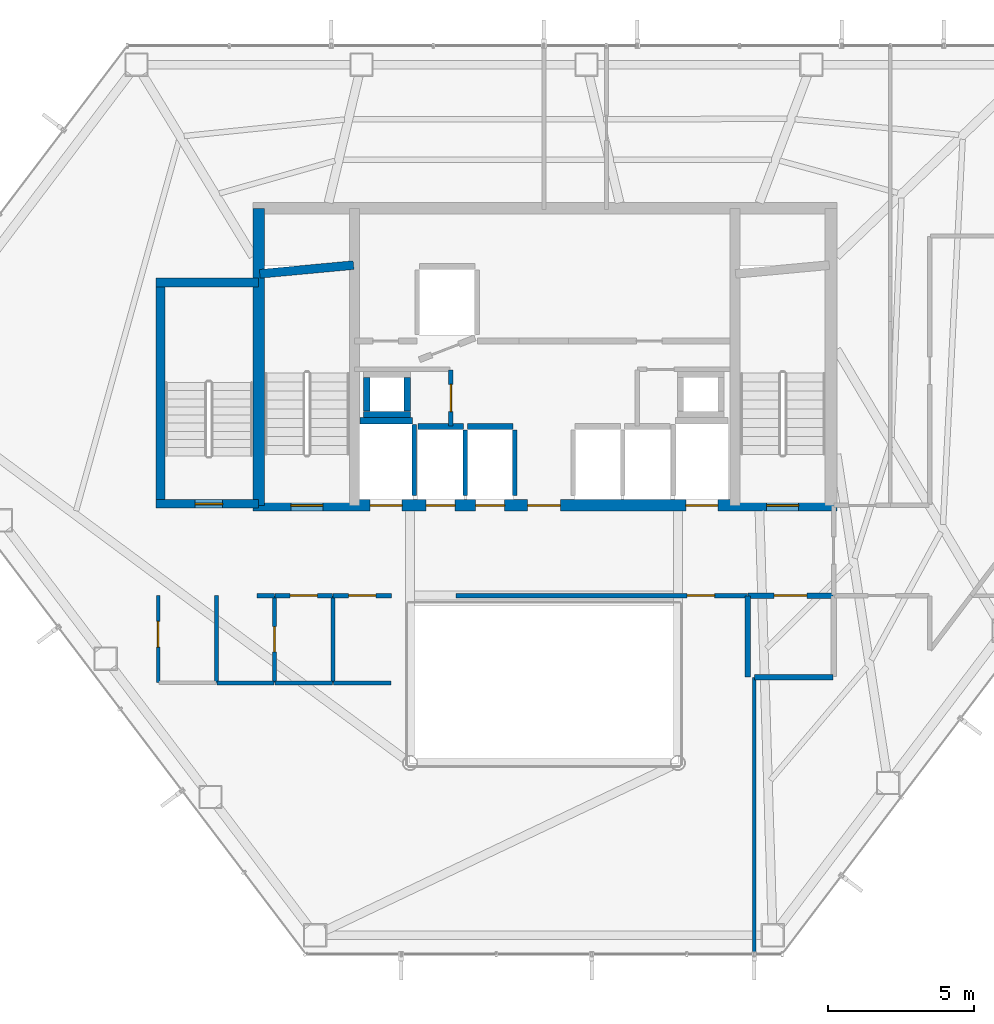
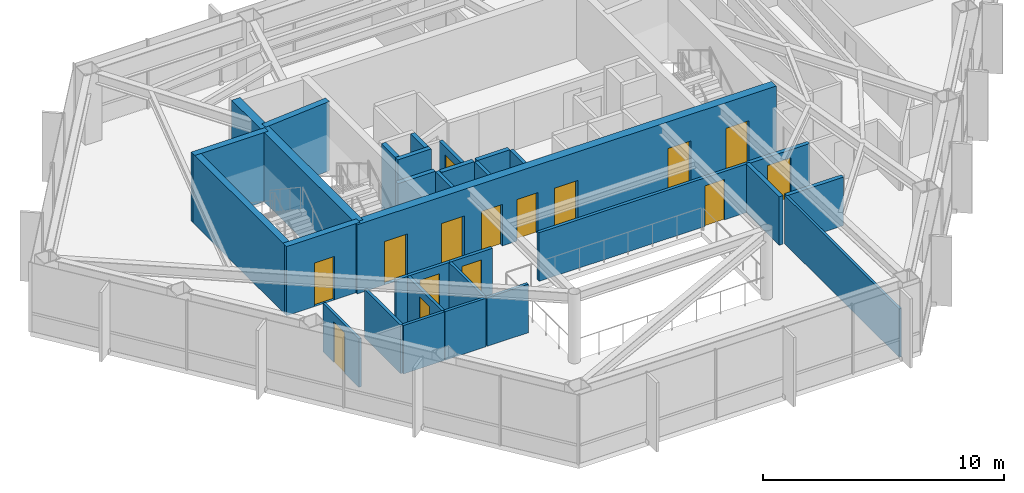
# One storey, part 25 of 28: 31 walls, 15 doors, 15 openings.
"""IFC4 building model written with IfcOpenShell, lengths in metres."""

from ifc_helpers import new_model, si_unit, direction, frame, frame_2d, origin, place, context, subcontext, project, spatial, rectangle, extrude, material, layer, layer_set, type_object, element, fill, save


model = new_model("IFC4")

# Units and contexts
model_context = context("Model", 3, precision=1e-05, world=origin(), true_north=direction((0.0, 1.0)))
body_context = subcontext(model_context, "Body", "Model", "MODEL_VIEW")
ifc_project = project(units=[si_unit("LENGTHUNIT", "METRE"), si_unit("AREAUNIT", "SQUARE_METRE"), si_unit("VOLUMEUNIT", "CUBIC_METRE"), si_unit("PLANEANGLEUNIT", "RADIAN"), si_unit("MASSUNIT", "GRAM", prefix="KILO")], contexts=[model_context])

# Site, building, storey
site_placement = place(None, origin())
site = spatial("IfcSite", under=ifc_project, at=site_placement, CompositionType="ELEMENT")
building_placement = place(site_placement, origin())
building = spatial("IfcBuilding", under=site, at=building_placement, Name="Zarrinselat Tower", CompositionType="ELEMENT")
storey_placement = place(building_placement, frame((0.0, 0.0, 145.860107421875)))
storey = spatial("IfcBuildingStorey", under=building, at=storey_placement, Name="L35", CompositionType="ELEMENT", Elevation=145.860107421875)

# Wall, opening, door
ifc_material_1 = material(Name="Concrete C40/50", Category="concrete")
ifc_layer_1 = layer(ifc_material_1, 0.18994140625)
ifc_layer_set_1 = layer_set([ifc_layer_1], Name="Concrete C40/50")
wall_type_1 = type_object("IfcWallType", Name="WAL-PART-EI120", PredefinedType="PARTITIONING", material=ifc_layer_set_1)
wall_1_placement = place(storey_placement, frame((45.405029296875, 30.14990234375, 0.0), z_axis=(0.0, 0.0, 1.0), x_axis=(1.0, 0.0, 0.0)))
wall_1 = element("IfcWall", 1, at=wall_1_placement, inside=storey, type_object=wall_type_1, Name="L35 Partition Wall 9", PredefinedType="PARTITIONING", context=body_context, shape_type="SweptSolid", body=[
    extrude(rectangle(XDim=2.925048828125, YDim=0.18994140625, at=frame_2d((1.46240234375, 0.0))), origin(), (0.0, 0.0, 1.0), 2.456787109375),
])
opening_1_placement = place(wall_1_placement, frame((0.902587890625, 0.0, 0.0)))
opening_1 = element("IfcOpeningElement", 2, at=opening_1_placement, cuts=wall_1, Name="Opening ID-02", PredefinedType="OPENING", context=body_context, shape_type="SweptSolid", body=[
    extrude(rectangle(XDim=1.1201171875, YDim=2.050048828125, at=frame_2d((0.56005859375, 1.02490234375))), frame((0.0, 0.10498046875, 0.0), z_axis=(0.0, -1.0, 0.0), x_axis=(1.0, 0.0, 0.0)), (0.0, 0.0, 1.0), 0.2099609375),
])
ifc_material_2 = material(Name="Steel S355J2", Category="steel")
door_type_1 = type_object("IfcDoorType", Name="DR-INT-FD60-W", OperationType="NOTDEFINED", PredefinedType="DOOR", material=ifc_material_2)
door_1_placement = place(opening_1_placement, origin())
door_1 = element("IfcDoor", 3, at=door_1_placement, inside=storey, type_object=door_type_1, Name="L35 Interior Door P9", OperationType="SINGLE_SWING_LEFT", OverallHeight=2.050048828125, OverallWidth=1.1201171875, PredefinedType="DOOR", context=body_context, shape_type="SweptSolid", body=[
    extrude(rectangle(XDim=1.1201171875, YDim=2.050048828125, at=frame_2d((0.56005859375, 1.02490234375))), frame((0.0, 0.02490234375, 0.0), z_axis=(0.0, -1.0, 0.0), x_axis=(1.0, 0.0, 0.0)), (0.0, 0.0, 1.0), 0.050048828125),
])
fill(opening_1, door_1)

# Walls
wall_2_placement = place(storey_placement, frame((45.39990234375, 27.35009765625, 0.0), z_axis=(0.0, 0.0, 1.0), x_axis=(0.0, 1.0, 0.0)))
element("IfcWall", 4, at=wall_2_placement, inside=storey, type_object=wall_type_1, Name="L35 Partition Wall 15", PredefinedType="PARTITIONING", context=body_context, shape_type="SweptSolid", body=[
    extrude(rectangle(XDim=2.77978515625, YDim=0.18994140625, at=frame_2d((1.389892578125, 0.0))), origin(), (0.0, 0.0, 1.0), 2.456787109375),
])
wall_3_placement = place(storey_placement, frame((45.623779296875, 27.35009765625, 0.0), z_axis=(0.0, 0.0, 1.0), x_axis=(1.0, 0.0, 0.0)))
element("IfcWall", 5, at=wall_3_placement, inside=storey, type_object=wall_type_1, Name="L35 Partition Wall 16", PredefinedType="PARTITIONING", context=body_context, shape_type="SweptSolid", body=[
    extrude(rectangle(XDim=2.706298828125, YDim=0.18994140625, at=frame_2d((1.35302734375, 0.0))), origin(), (0.0, 0.0, 1.0), 2.456787109375),
])

# Wall, opening, door
ifc_material_3 = material(Name="Fire-Rated Gypsum Board Partition", Category="gypsum")
ifc_layer_2 = layer(ifc_material_3, 0.14990234375)
ifc_layer_set_2 = layer_set([ifc_layer_2], Name="Fire-Rated Gypsum Board Partition")
wall_type_2 = type_object("IfcWallType", Name="WAL-PART-EI60", PredefinedType="PARTITIONING", material=ifc_layer_set_2)
wall_4_placement = place(storey_placement, frame((35.199951171875, 35.969970703125, 0.0), z_axis=(0.0, 0.0, 1.0), x_axis=(0.0, 1.0, 0.0)))
wall_4 = element("IfcWall", 6, at=wall_4_placement, inside=storey, type_object=wall_type_2, Name="L35 Partition Wall 1", PredefinedType="PARTITIONING", context=body_context, shape_type="SweptSolid", body=[
    extrude(rectangle(XDim=1.929931640625, YDim=0.14990234375, at=frame_2d((0.96484375, 0.0))), origin(), (0.0, 0.0, 1.0), 2.456787109375),
])
opening_2_placement = place(wall_4_placement, frame((0.4951171875, 0.0, 0.0)))
opening_2 = element("IfcOpeningElement", 7, at=opening_2_placement, cuts=wall_4, Name="Opening ID-04", PredefinedType="OPENING", context=body_context, shape_type="SweptSolid", body=[
    extrude(rectangle(XDim=0.93994140625, YDim=2.050048828125, at=frame_2d((0.469970703125, 1.02490234375))), frame((0.0, 0.0849609375, 0.0), z_axis=(0.0, -1.0, 0.0), x_axis=(1.0, 0.0, 0.0)), (0.0, 0.0, 1.0), 0.169921875),
])
ifc_material_4 = material(Name="Fire-Rated Gypsum Board Partition")
door_type_2 = type_object("IfcDoorType", Name="DR-INT-FD30-ENT", OperationType="NOTDEFINED", PredefinedType="DOOR", material=ifc_material_4)
door_2_placement = place(opening_2_placement, origin())
door_2 = element("IfcDoor", 8, at=door_2_placement, inside=storey, type_object=door_type_2, Name="L35 Interior Door P1", OperationType="SINGLE_SWING_LEFT", OverallHeight=2.050048828125, OverallWidth=0.93994140625, PredefinedType="DOOR", context=body_context, shape_type="SweptSolid", body=[
    extrude(rectangle(XDim=0.93994140625, YDim=2.050048828125, at=frame_2d((0.469970703125, 1.02490234375))), frame((0.0, 0.02490234375, 0.0), z_axis=(0.0, -1.0, 0.0), x_axis=(1.0, 0.0, 0.0)), (0.0, 0.0, 1.0), 0.050048828125),
])
fill(opening_2, door_2)

# Wall
wall_5_placement = place(storey_placement, frame((28.550048828125, 30.14990234375, 0.0), z_axis=(0.0, 0.0, 1.0), x_axis=(1.0, 0.0, 0.0)))
element("IfcWall", 9, at=wall_5_placement, inside=storey, type_object=wall_type_2, Name="L35 Partition Wall 11", PredefinedType="PARTITIONING", context=body_context, shape_type="SweptSolid", body=[
    extrude(rectangle(XDim=0.594970703125, YDim=0.14990234375, at=frame_2d((0.29736328125, 0.0))), origin(), (0.0, 0.0, 1.0), 2.456787109375),
])

# Wall, opening, door
wall_6_placement = place(storey_placement, frame((29.155029296875, 30.14990234375, 0.0), z_axis=(0.0, 0.0, 1.0), x_axis=(1.0, 0.0, 0.0)))
wall_6 = element("IfcWall", 10, at=wall_6_placement, inside=storey, type_object=wall_type_2, Name="L35 Partition Wall 12", PredefinedType="PARTITIONING", context=body_context, shape_type="SweptSolid", body=[
    extrude(rectangle(XDim=1.989990234375, YDim=0.14990234375, at=frame_2d((0.9951171875, 0.0))), origin(), (0.0, 0.0, 1.0), 2.456787109375),
])
opening_3_placement = place(wall_6_placement, frame((0.52490234375, 0.0, 0.0)))
opening_3 = element("IfcOpeningElement", 11, at=opening_3_placement, cuts=wall_6, Name="Opening ID-04", PredefinedType="OPENING", context=body_context, shape_type="SweptSolid", body=[
    extrude(rectangle(XDim=0.93994140625, YDim=2.050048828125, at=frame_2d((0.469970703125, 1.02490234375))), frame((0.0, 0.0849609375, 0.0), z_axis=(0.0, -1.0, 0.0), x_axis=(1.0, 0.0, 0.0)), (0.0, 0.0, 1.0), 0.169921875),
])
door_3_placement = place(opening_3_placement, origin())
door_3 = element("IfcDoor", 12, at=door_3_placement, inside=storey, type_object=door_type_2, Name="L35 Interior Door P12", OperationType="SINGLE_SWING_LEFT", OverallHeight=2.050048828125, OverallWidth=0.93994140625, PredefinedType="DOOR", context=body_context, shape_type="SweptSolid", body=[
    extrude(rectangle(XDim=0.93994140625, YDim=2.050048828125, at=frame_2d((0.469970703125, 1.02490234375))), frame((0.0, 0.02490234375, 0.0), z_axis=(0.0, -1.0, 0.0), x_axis=(1.0, 0.0, 0.0)), (0.0, 0.0, 1.0), 0.050048828125),
])
fill(opening_3, door_3)

wall_7_placement = place(storey_placement, frame((31.155029296875, 30.14990234375, 0.0), z_axis=(0.0, 0.0, 1.0), x_axis=(1.0, 0.0, 0.0)))
wall_7 = element("IfcWall", 13, at=wall_7_placement, inside=storey, type_object=wall_type_2, Name="L35 Partition Wall 13", PredefinedType="PARTITIONING", context=body_context, shape_type="SweptSolid", body=[
    extrude(rectangle(XDim=2.010009765625, YDim=0.14990234375, at=frame_2d((1.0048828125, 0.0))), origin(), (0.0, 0.0, 1.0), 2.456787109375),
])
opening_4_placement = place(wall_7_placement, frame((0.534912109375, 0.0, 0.0)))
opening_4 = element("IfcOpeningElement", 14, at=opening_4_placement, cuts=wall_7, Name="Opening ID-04", PredefinedType="OPENING", context=body_context, shape_type="SweptSolid", body=[
    extrude(rectangle(XDim=0.93994140625, YDim=2.050048828125, at=frame_2d((0.469970703125, 1.02490234375))), frame((0.0, 0.0849609375, 0.0), z_axis=(0.0, -1.0, 0.0), x_axis=(1.0, 0.0, 0.0)), (0.0, 0.0, 1.0), 0.169921875),
])
door_4_placement = place(opening_4_placement, origin())
door_4 = element("IfcDoor", 15, at=door_4_placement, inside=storey, type_object=door_type_2, Name="L35 Interior Door P13", OperationType="SINGLE_SWING_RIGHT", OverallHeight=2.050048828125, OverallWidth=0.93994140625, PredefinedType="DOOR", context=body_context, shape_type="SweptSolid", body=[
    extrude(rectangle(XDim=0.93994140625, YDim=2.050048828125, at=frame_2d((0.469970703125, 1.02490234375))), frame((0.0, 0.02490234375, 0.0), z_axis=(0.0, -1.0, 0.0), x_axis=(1.0, 0.0, 0.0)), (0.0, 0.0, 1.0), 0.050048828125),
])
fill(opening_4, door_4)

wall_8_placement = place(storey_placement, frame((35.385009765625, 30.14990234375, 0.0), z_axis=(0.0, 0.0, 1.0), x_axis=(1.0, 0.0, 0.0)))
wall_8 = element("IfcWall", 16, at=wall_8_placement, inside=storey, type_object=wall_type_2, Name="L35 Partition Wall 14", PredefinedType="PARTITIONING", context=body_context, shape_type="SweptSolid", body=[
    extrude(rectangle(XDim=10.010009765625, YDim=0.14990234375, at=frame_2d((5.0048828125, 0.0))), origin(), (0.0, 0.0, 1.0), 2.456787109375),
])
opening_5_placement = place(wall_8_placement, frame((7.93505859375, 0.0, 0.0)))
opening_5 = element("IfcOpeningElement", 17, at=opening_5_placement, cuts=wall_8, Name="Opening ID-04", PredefinedType="OPENING", context=body_context, shape_type="SweptSolid", body=[
    extrude(rectangle(XDim=0.93994140625, YDim=2.050048828125, at=frame_2d((0.469970703125, 1.02490234375))), frame((0.0, 0.0849609375, 0.0), z_axis=(0.0, -1.0, 0.0), x_axis=(1.0, 0.0, 0.0)), (0.0, 0.0, 1.0), 0.169921875),
])
door_5_placement = place(opening_5_placement, origin())
door_5 = element("IfcDoor", 18, at=door_5_placement, inside=storey, type_object=door_type_2, Name="L35 Interior Door P14", OperationType="SINGLE_SWING_LEFT", OverallHeight=2.050048828125, OverallWidth=0.93994140625, PredefinedType="DOOR", context=body_context, shape_type="SweptSolid", body=[
    extrude(rectangle(XDim=0.93994140625, YDim=2.050048828125, at=frame_2d((0.469970703125, 1.02490234375))), frame((0.0, 0.02490234375, 0.0), z_axis=(0.0, -1.0, 0.0), x_axis=(1.0, 0.0, 0.0)), (0.0, 0.0, 1.0), 0.050048828125),
])
fill(opening_5, door_5)

ifc_material_5 = material(Name="Fire-Rated Gypsum Board Partition", Category="gypsum")
ifc_layer_3 = layer(ifc_material_5, 0.1201171875)
ifc_layer_set_3 = layer_set([ifc_layer_3], Name="Fire-Rated Gypsum Board Partition")
wall_type_3 = type_object("IfcWallType", Name="WAL-PART-STD", PredefinedType="PARTITIONING", material=ifc_layer_set_3)
wall_9_placement = place(storey_placement, frame((25.14990234375, 27.169921875, 0.0), z_axis=(0.0, 0.0, 1.0), x_axis=(0.0, 1.0, 0.0)))
wall_9 = element("IfcWall", 19, at=wall_9_placement, inside=storey, type_object=wall_type_3, Name="L35 Partition Wall 31", PredefinedType="PARTITIONING", context=body_context, shape_type="SweptSolid", body=[
    extrude(rectangle(XDim=2.97998046875, YDim=0.1201171875, at=frame_2d((1.489990234375, 0.0))), origin(), (0.0, 0.0, 1.0), 2.456787109375),
])
opening_6_placement = place(wall_9_placement, frame((1.2099609375, 0.0, 0.0)))
opening_6 = element("IfcOpeningElement", 20, at=opening_6_placement, cuts=wall_9, Name="Opening ID-03", PredefinedType="OPENING", context=body_context, shape_type="SweptSolid", body=[
    extrude(rectangle(XDim=0.8798828125, YDim=2.050048828125, at=frame_2d((0.43994140625, 1.02490234375))), frame((0.0, 0.070068359375, 0.0), z_axis=(0.0, -1.0, 0.0), x_axis=(1.0, 0.0, 0.0)), (0.0, 0.0, 1.0), 0.14013671875),
])
ifc_material_6 = material(Name="Steel S355J2", Category="steel")
door_type_3 = type_object("IfcDoorType", Name="DR-INT-FD60-S", OperationType="NOTDEFINED", PredefinedType="DOOR", material=ifc_material_6)
door_6_placement = place(opening_6_placement, origin())
door_6 = element("IfcDoor", 21, at=door_6_placement, inside=storey, type_object=door_type_3, Name="L35 Interior Door P31", OperationType="SINGLE_SWING_RIGHT", OverallHeight=2.050048828125, OverallWidth=0.8798828125, PredefinedType="DOOR", context=body_context, shape_type="SweptSolid", body=[
    extrude(rectangle(XDim=0.8798828125, YDim=2.050048828125, at=frame_2d((0.43994140625, 1.02490234375))), frame((0.0, 0.02490234375, 0.0), z_axis=(0.0, -1.0, 0.0), x_axis=(1.0, 0.0, 0.0)), (0.0, 0.0, 1.0), 0.050048828125),
])
fill(opening_6, door_6)

# Walls
wall_10_placement = place(storey_placement, frame((45.61865234375, 17.846435546875, 0.0), z_axis=(0.0, 0.0, 1.0), x_axis=(0.0, 1.0, 0.0)))
element("IfcWall", 22, at=wall_10_placement, inside=storey, type_object=wall_type_3, Name="L35 Partition Wall 37", PredefinedType="PARTITIONING", context=body_context, shape_type="SweptSolid", body=[
    extrude(rectangle(XDim=9.483642578125, YDim=0.1201171875, at=frame_2d((4.74169921875, 0.0))), origin(), (0.0, 0.0, 1.0), 2.456787109375),
])
ifc_material_7 = material(Name="Fire-Rated Gypsum Board Partition", Category="gypsum")
ifc_layer_4 = layer(ifc_material_7, 0.135009765625)
ifc_layer_set_4 = layer_set([ifc_layer_4], Name="Fire-Rated Gypsum Board Partition")
wall_type_4 = type_object("IfcWallType", Name="WAL-PART-WET", PredefinedType="PARTITIONING", material=ifc_layer_set_4)
wall_11_placement = place(storey_placement, frame((27.14990234375, 27.169921875, 0.0), z_axis=(0.0, 0.0, 1.0), x_axis=(0.0, 1.0, 0.0)))
element("IfcWall", 23, at=wall_11_placement, inside=storey, type_object=wall_type_4, Name="L35 Partition Wall 29", PredefinedType="PARTITIONING", context=body_context, shape_type="SweptSolid", body=[
    extrude(rectangle(XDim=2.97998046875, YDim=0.135009765625, at=frame_2d((1.489990234375, 0.0))), origin(), (0.0, 0.0, 1.0), 2.456787109375),
])

# Wall, opening, door
wall_12_placement = place(storey_placement, frame((29.14990234375, 27.169921875, 0.0), z_axis=(0.0, 0.0, 1.0), x_axis=(0.0, 1.0, 0.0)))
wall_12 = element("IfcWall", 24, at=wall_12_placement, inside=storey, type_object=wall_type_4, Name="L35 Partition Wall 32", PredefinedType="PARTITIONING", context=body_context, shape_type="SweptSolid", body=[
    extrude(rectangle(XDim=2.9599609375, YDim=0.135009765625, at=frame_2d((1.47998046875, 0.0))), origin(), (0.0, 0.0, 1.0), 2.456787109375),
])
opening_7_placement = place(wall_12_placement, frame((1.050048828125, 0.0, 0.0)))
opening_7 = element("IfcOpeningElement", 25, at=opening_7_placement, cuts=wall_12, Name="Opening ID-06", PredefinedType="OPENING", context=body_context, shape_type="SweptSolid", body=[
    extrude(rectangle(XDim=0.860107421875, YDim=2.050048828125, at=frame_2d((0.43017578125, 1.02490234375))), frame((0.0, 0.077392578125, 0.0), z_axis=(0.0, -1.0, 0.0), x_axis=(1.0, 0.0, 0.0)), (0.0, 0.0, 1.0), 0.155029296875),
])
ifc_material_8 = material(Name="Extruded Aluminium Alloy EN AW-6063 T6", Category="aluminium")
door_type_4 = type_object("IfcDoorType", Name="DR-INT-WET-900", OperationType="NOTDEFINED", PredefinedType="DOOR", material=ifc_material_8)
door_7_placement = place(opening_7_placement, origin())
door_7 = element("IfcDoor", 26, at=door_7_placement, inside=storey, type_object=door_type_4, Name="L35 Interior Door P32", OperationType="SINGLE_SWING_LEFT", OverallHeight=2.050048828125, OverallWidth=0.860107421875, PredefinedType="DOOR", context=body_context, shape_type="SweptSolid", body=[
    extrude(rectangle(XDim=0.860107421875, YDim=2.050048828125, at=frame_2d((0.43017578125, 1.02490234375))), frame((0.0, 0.02490234375, 0.0), z_axis=(0.0, -1.0, 0.0), x_axis=(1.0, 0.0, 0.0)), (0.0, 0.0, 1.0), 0.050048828125),
])
fill(opening_7, door_7)

# Walls
wall_13_placement = place(storey_placement, frame((27.169921875, 27.14990234375, 0.0), z_axis=(0.0, 0.0, 1.0), x_axis=(1.0, 0.0, 0.0)))
element("IfcWall", 27, at=wall_13_placement, inside=storey, type_object=wall_type_4, Name="L35 Partition Wall 33", PredefinedType="PARTITIONING", context=body_context, shape_type="SweptSolid", body=[
    extrude(rectangle(XDim=1.9599609375, YDim=0.135009765625, at=frame_2d((0.97998046875, 0.0))), origin(), (0.0, 0.0, 1.0), 2.456787109375),
])
wall_14_placement = place(storey_placement, frame((31.14990234375, 27.169921875, 0.0), z_axis=(0.0, 0.0, 1.0), x_axis=(0.0, 1.0, 0.0)))
element("IfcWall", 28, at=wall_14_placement, inside=storey, type_object=wall_type_4, Name="L35 Partition Wall 34", PredefinedType="PARTITIONING", context=body_context, shape_type="SweptSolid", body=[
    extrude(rectangle(XDim=2.9599609375, YDim=0.135009765625, at=frame_2d((1.47998046875, 0.0))), origin(), (0.0, 0.0, 1.0), 2.456787109375),
])
wall_15_placement = place(storey_placement, frame((29.169921875, 27.14990234375, 0.0), z_axis=(0.0, 0.0, 1.0), x_axis=(1.0, 0.0, 0.0)))
element("IfcWall", 29, at=wall_15_placement, inside=storey, type_object=wall_type_4, Name="L35 Partition Wall 35", PredefinedType="PARTITIONING", context=body_context, shape_type="SweptSolid", body=[
    extrude(rectangle(XDim=1.9599609375, YDim=0.135009765625, at=frame_2d((0.97998046875, 0.0))), origin(), (0.0, 0.0, 1.0), 2.456787109375),
])
wall_16_placement = place(storey_placement, frame((31.169921875, 27.14990234375, 0.0), z_axis=(0.0, 0.0, 1.0), x_axis=(1.0, 0.0, 0.0)))
element("IfcWall", 30, at=wall_16_placement, inside=storey, type_object=wall_type_4, Name="L35 Partition Wall 36", PredefinedType="PARTITIONING", context=body_context, shape_type="SweptSolid", body=[
    extrude(rectangle(XDim=1.97998046875, YDim=0.135009765625, at=frame_2d((0.989990234375, 0.0))), origin(), (0.0, 0.0, 1.0), 2.456787109375),
])
ifc_material_9 = material(Name="Concrete C40/50", Category="concrete")
ifc_layer_5 = layer(ifc_material_9, 0.2099609375)
ifc_layer_set_5 = layer_set([ifc_layer_5], Name="Concrete C40/50")
wall_type_5 = type_object("IfcWallType", Name="WAL-SHAFT-210", PredefinedType="SOLIDWALL", material=ifc_layer_set_5)
wall_17_placement = place(storey_placement, frame((32.080078125, 36.155029296875, 0.0), z_axis=(0.0, 0.0, 1.0), x_axis=(1.0, 0.0, 0.0)))
element("IfcWall", 31, at=wall_17_placement, inside=storey, type_object=wall_type_5, Name="L35 Lift FFL1 North Shaft Wall", PredefinedType="SOLIDWALL", context=body_context, shape_type="SweptSolid", body=[
    extrude(rectangle(XDim=1.7998046875, YDim=0.2099609375, at=frame_2d((0.89990234375, 0.0))), origin(), (0.0, 0.0, 1.0), 2.471923828125),
])
wall_18_placement = place(storey_placement, frame((33.949951171875, 33.580078125, 0.0), z_axis=(0.0, 0.0, 1.0), x_axis=(0.0, 1.0, 0.0)))
element("IfcWall", 32, at=wall_18_placement, inside=storey, type_object=wall_type_5, Name="L35 Lift FFL1 E Shaft Wall", PredefinedType="SOLIDWALL", context=body_context, shape_type="SweptSolid", body=[
    extrude(rectangle(XDim=2.449951171875, YDim=0.159912109375, at=frame_2d((1.22509765625, 0.0))), origin(), (0.0, 0.0, 1.0), 2.471923828125),
])
wall_19_placement = place(storey_placement, frame((34.070068359375, 35.955078125, 0.0), z_axis=(0.0, 0.0, 1.0), x_axis=(1.0, 0.0, 0.0)))
element("IfcWall", 33, at=wall_19_placement, inside=storey, type_object=wall_type_5, Name="L35 Lift PL5 North Shaft Wall", PredefinedType="SOLIDWALL", context=body_context, shape_type="SweptSolid", body=[
    extrude(rectangle(XDim=1.559814453125, YDim=0.2099609375, at=frame_2d((0.77978515625, 0.0))), origin(), (0.0, 0.0, 1.0), 2.471923828125),
])
wall_20_placement = place(storey_placement, frame((35.699951171875, 33.580078125, 0.0), z_axis=(0.0, 0.0, 1.0), x_axis=(0.0, 1.0, 0.0)))
element("IfcWall", 34, at=wall_20_placement, inside=storey, type_object=wall_type_5, Name="L35 Lift PL5 E Shaft Wall", PredefinedType="SOLIDWALL", context=body_context, shape_type="SweptSolid", body=[
    extrude(rectangle(XDim=2.25, YDim=0.159912109375, at=frame_2d((1.125, 0.0))), origin(), (0.0, 0.0, 1.0), 2.471923828125),
])
wall_21_placement = place(storey_placement, frame((35.77001953125, 35.955078125, 0.0), z_axis=(0.0, 0.0, 1.0), x_axis=(1.0, 0.0, 0.0)))
element("IfcWall", 35, at=wall_21_placement, inside=storey, type_object=wall_type_5, Name="L35 Lift PL6 North Shaft Wall", PredefinedType="SOLIDWALL", context=body_context, shape_type="SweptSolid", body=[
    extrude(rectangle(XDim=1.56005859375, YDim=0.2099609375, at=frame_2d((0.780029296875, 0.0))), origin(), (0.0, 0.0, 1.0), 2.471923828125),
])
wall_22_placement = place(storey_placement, frame((37.39990234375, 33.580078125, 0.0), z_axis=(0.0, 0.0, 1.0), x_axis=(0.0, 1.0, 0.0)))
element("IfcWall", 36, at=wall_22_placement, inside=storey, type_object=wall_type_5, Name="L35 Lift PL6 E Shaft Wall", PredefinedType="SOLIDWALL", context=body_context, shape_type="SweptSolid", body=[
    extrude(rectangle(XDim=2.25, YDim=0.159912109375, at=frame_2d((1.125, 0.0))), origin(), (0.0, 0.0, 1.0), 2.471923828125),
])
wall_23_placement = place(storey_placement, frame((32.2099609375, 36.375, 0.0), z_axis=(0.0, 0.0, 1.0), x_axis=(1.0, 0.0, 0.0)))
element("IfcWall", 37, at=wall_23_placement, inside=storey, type_object=wall_type_5, Name="L35 Core Riser RSR-W S Shaft Wall", PredefinedType="SOLIDWALL", context=body_context, shape_type="SweptSolid", body=[
    extrude(rectangle(XDim=1.60009765625, YDim=0.2099609375, at=frame_2d((0.800048828125, 0.0))), origin(), (0.0, 0.0, 1.0), 3.5),
])
for number, where, z_axis, x_axis, name in (
    (38, (32.31494140625, 36.485107421875, 0.0), (0.0, 0.0, 1.0), (0.0, 1.0, 0.0), "L35 Core Riser RSR-W W Shaft Wall"),
    (39, (33.705078125, 36.485107421875, 0.0), (0.0, 0.0, 1.0), (0.0, 1.0, 0.0), "L35 Core Riser RSR-W E Shaft Wall"),
):
    element("IfcWall", number, at=place(storey_placement, frame(where, z_axis=z_axis, x_axis=x_axis)), inside=storey, type_object=wall_type_5, Name=name, PredefinedType="SOLIDWALL", context=body_context, shape_type="SweptSolid", body=[
        extrude(rectangle(XDim=1.14990234375, YDim=0.2099609375, at=frame_2d((0.574951171875, 0.0))), origin(), (0.0, 0.0, 1.0), 3.5),
    ])
ifc_material_10 = material(Name="Concrete C40/50", Category="concrete")
ifc_layer_6 = layer(ifc_material_10, 0.300048828125)
ifc_layer_set_6 = layer_set([ifc_layer_6], Name="Concrete C40/50")
wall_type_6 = type_object("IfcWallType", Name="WAL-SHEAR-300", PredefinedType="SHEAR", material=ifc_layer_set_6)
wall_24_placement = place(storey_placement, frame((28.639892578125, 41.199951171875, 0.0), z_axis=(0.0, 0.0, 1.0), x_axis=(0.995687118776, 0.092774789157, 0.0)))
element("IfcWall", 40, at=wall_24_placement, inside=storey, type_object=wall_type_6, Name="L35 Stair 1 North Shaft Wall", PredefinedType="SHEAR", context=body_context, shape_type="SweptSolid", body=[
    extrude(rectangle(XDim=3.234130859375, YDim=0.300048828125, at=frame_2d((1.6171875, 0.0))), origin(), (0.0, 0.0, 1.0), 3.5),
])
wall_25_placement = place(storey_placement, frame((25.080078125, 40.89990234375, 0.0), z_axis=(0.0, 0.0, 1.0), x_axis=(1.0, 0.0, 0.0)))
element("IfcWall", 41, at=wall_25_placement, inside=storey, type_object=wall_type_6, Name="L35 Stair 3 North Shear Wall", PredefinedType="SHEAR", context=body_context, shape_type="SweptSolid", body=[
    extrude(rectangle(XDim=3.52001953125, YDim=0.300048828125, at=frame_2d((1.760009765625, 0.0))), origin(), (0.0, 0.0, 1.0), 3.5),
])

# Wall, opening, door
wall_26_placement = place(storey_placement, frame((25.080078125, 33.300048828125, 0.0), z_axis=(0.0, 0.0, 1.0), x_axis=(1.0, 0.0, 0.0)))
wall_26 = element("IfcWall", 42, at=wall_26_placement, inside=storey, type_object=wall_type_6, Name="L35 Stair 3 South Shear Wall", PredefinedType="SHEAR", context=body_context, shape_type="SweptSolid", body=[
    extrude(rectangle(XDim=3.52001953125, YDim=0.300048828125, at=frame_2d((1.760009765625, 0.0))), origin(), (0.0, 0.0, 1.0), 3.5),
])
opening_8_placement = place(wall_26_placement, frame((1.3349609375, 0.0, 0.0)))
opening_8 = element("IfcOpeningElement", 43, at=opening_8_placement, cuts=wall_26, Name="Opening SD-02", PredefinedType="OPENING", context=body_context, shape_type="SweptSolid", body=[
    extrude(rectangle(XDim=0.949951171875, YDim=2.199951171875, at=frame_2d((0.47509765625, 1.10009765625))), frame((0.0, 0.159912109375, 0.0), z_axis=(0.0, -1.0, 0.0), x_axis=(1.0, 0.0, 0.0)), (0.0, 0.0, 1.0), 0.320068359375),
])
ifc_material_11 = material(Name="Steel S355J2", Category="steel")
door_type_5 = type_object("IfcDoorType", Name="DR-STAIR-1050", OperationType="NOTDEFINED", PredefinedType="DOOR", material=ifc_material_11)
door_8_placement = place(opening_8_placement, origin())
door_8 = element("IfcDoor", 44, at=door_8_placement, inside=storey, type_object=door_type_5, Name="L35 Exit Stair 3 Fire Door", OperationType="SINGLE_SWING_LEFT", OverallHeight=2.199951171875, OverallWidth=0.949951171875, PredefinedType="DOOR", context=body_context, shape_type="SweptSolid", body=[
    extrude(rectangle(XDim=0.949951171875, YDim=2.199951171875, at=frame_2d((0.47509765625, 1.10009765625))), frame((0.0, 0.02490234375, 0.0), z_axis=(0.0, -1.0, 0.0), x_axis=(1.0, 0.0, 0.0)), (0.0, 0.0, 1.0), 0.050048828125),
])
fill(opening_8, door_8)

# Wall
wall_27_placement = place(storey_placement, frame((25.22998046875, 33.300048828125, 0.0), z_axis=(0.0, 0.0, 1.0), x_axis=(0.0, 1.0, 0.0)))
element("IfcWall", 45, at=wall_27_placement, inside=storey, type_object=wall_type_6, Name="L35 Stair 3 West Shear Wall", PredefinedType="SHEAR", context=body_context, shape_type="SweptSolid", body=[
    extrude(rectangle(XDim=7.599853515625, YDim=0.300048828125, at=frame_2d((3.7998046875, 0.0))), origin(), (0.0, 0.0, 1.0), 3.5),
])

# Wall, openings, doors
ifc_material_12 = material(Name="Concrete C60/75", Category="concrete")
ifc_layer_7 = layer(ifc_material_12, 0.39990234375)
ifc_layer_set_7 = layer_set([ifc_layer_7], Name="Concrete C60/75")
wall_type_7 = type_object("IfcWallType", Name="WAL-SHEAR-400", PredefinedType="SHEAR", material=ifc_layer_set_7)
wall_28_placement = place(storey_placement, frame((28.39990234375, 33.25, 0.0), z_axis=(0.0, 0.0, 1.0), x_axis=(1.0, 0.0, 0.0)))
wall_28 = element("IfcWall", 46, at=wall_28_placement, inside=storey, type_object=wall_type_7, Name="L35 South Core Shear Wall", PredefinedType="SHEAR", context=body_context, shape_type="SweptSolid", body=[
    extrude(rectangle(XDim=20.06005859375, YDim=0.39990234375, at=frame_2d((10.030029296875, 0.0))), origin(), (0.0, 0.0, 1.0), 3.5),
])
opening_9_placement = place(wall_28_placement, frame((4.030029296875, 0.0, 0.0)))
opening_9 = element("IfcOpeningElement", 47, at=opening_9_placement, cuts=wall_28, Name="Opening LD-FFL1", PredefinedType="OPENING", context=body_context, shape_type="SweptSolid", body=[
    extrude(rectangle(XDim=1.10009765625, YDim=2.14990234375, at=frame_2d((0.550048828125, 1.074951171875))), frame((0.0, 0.2099609375, 0.0), z_axis=(0.0, -1.0, 0.0), x_axis=(1.0, 0.0, 0.0)), (0.0, 0.0, 1.0), 0.419921875),
])
opening_10_placement = place(wall_28_placement, frame((14.8701171875, 0.0, 0.0)))
opening_10 = element("IfcOpeningElement", 48, at=opening_10_placement, cuts=wall_28, Name="Opening LD-FFL2", PredefinedType="OPENING", context=body_context, shape_type="SweptSolid", body=[
    extrude(rectangle(XDim=1.10009765625, YDim=2.14990234375, at=frame_2d((0.550048828125, 1.074951171875))), frame((0.0, 0.2099609375, 0.0), z_axis=(0.0, -1.0, 0.0), x_axis=(1.0, 0.0, 0.0)), (0.0, 0.0, 1.0), 0.419921875),
])
opening_11_placement = place(wall_28_placement, frame((5.949951171875, 0.0, 0.0)))
opening_11 = element("IfcOpeningElement", 49, at=opening_11_placement, cuts=wall_28, Name="Opening LD-PL5", PredefinedType="OPENING", context=body_context, shape_type="SweptSolid", body=[
    extrude(rectangle(XDim=1.0, YDim=2.10009765625, at=frame_2d((0.5, 1.050048828125))), frame((0.0, 0.2099609375, 0.0), z_axis=(0.0, -1.0, 0.0), x_axis=(1.0, 0.0, 0.0)), (0.0, 0.0, 1.0), 0.419921875),
])
opening_12_placement = place(wall_28_placement, frame((7.64990234375, 0.0, 0.0)))
opening_12 = element("IfcOpeningElement", 50, at=opening_12_placement, cuts=wall_28, Name="Opening LD-PL6", PredefinedType="OPENING", context=body_context, shape_type="SweptSolid", body=[
    extrude(rectangle(XDim=1.0, YDim=2.10009765625, at=frame_2d((0.5, 1.050048828125))), frame((0.0, 0.2099609375, 0.0), z_axis=(0.0, -1.0, 0.0), x_axis=(1.0, 0.0, 0.0)), (0.0, 0.0, 1.0), 0.419921875),
])
opening_13_placement = place(wall_28_placement, frame((1.31005859375, 0.0, 0.0)))
opening_13 = element("IfcOpeningElement", 51, at=opening_13_placement, cuts=wall_28, Name="Opening SD-01", PredefinedType="OPENING", context=body_context, shape_type="SweptSolid", body=[
    extrude(rectangle(XDim=1.10009765625, YDim=2.199951171875, at=frame_2d((0.550048828125, 1.10009765625))), frame((0.0, 0.2099609375, 0.0), z_axis=(0.0, -1.0, 0.0), x_axis=(1.0, 0.0, 0.0)), (0.0, 0.0, 1.0), 0.419921875),
])
opening_14_placement = place(wall_28_placement, frame((9.43994140625, 0.0, 0.0)))
opening_14 = element("IfcOpeningElement", 52, at=opening_14_placement, cuts=wall_28, Name="Opening ID-02", PredefinedType="OPENING", context=body_context, shape_type="SweptSolid", body=[
    extrude(rectangle(XDim=1.1201171875, YDim=2.050048828125, at=frame_2d((0.56005859375, 1.02490234375))), frame((0.0, 0.2099609375, 0.0), z_axis=(0.0, -1.0, 0.0), x_axis=(1.0, 0.0, 0.0)), (0.0, 0.0, 1.0), 0.419921875),
])
opening_15_placement = place(wall_28_placement, frame((17.64990234375, 0.0, 0.0)))
opening_15 = element("IfcOpeningElement", 53, at=opening_15_placement, cuts=wall_28, Name="Opening SD-01", PredefinedType="OPENING", context=body_context, shape_type="SweptSolid", body=[
    extrude(rectangle(XDim=1.10009765625, YDim=2.199951171875, at=frame_2d((0.550048828125, 1.10009765625))), frame((0.0, 0.2099609375, 0.0), z_axis=(0.0, -1.0, 0.0), x_axis=(1.0, 0.0, 0.0)), (0.0, 0.0, 1.0), 0.419921875),
])
door_9_placement = place(opening_14_placement, origin())
door_9 = element("IfcDoor", 54, at=door_9_placement, inside=storey, type_object=door_type_1, Name="L35 Core Service Vestibule Fire Door", OperationType="SINGLE_SWING_LEFT", OverallHeight=2.050048828125, OverallWidth=1.1201171875, PredefinedType="DOOR", context=body_context, shape_type="SweptSolid", body=[
    extrude(rectangle(XDim=1.1201171875, YDim=2.050048828125, at=frame_2d((0.56005859375, 1.02490234375))), frame((0.0, 0.02490234375, 0.0), z_axis=(0.0, -1.0, 0.0), x_axis=(1.0, 0.0, 0.0)), (0.0, 0.0, 1.0), 0.050048828125),
])
fill(opening_14, door_9)
ifc_material_13 = material(Name="Steel S355J2", Category="steel")
door_type_6 = type_object("IfcDoorType", Name="DR-LIFT-FF-1100", OperationType="NOTDEFINED", PredefinedType="DOOR", material=ifc_material_13)
door_10_placement = place(opening_9_placement, origin())
door_10 = element("IfcDoor", 55, at=door_10_placement, inside=storey, type_object=door_type_6, Name="L35 Lift FFL1 Sliding Landing Door", OperationType="SLIDING_TO_LEFT", OverallHeight=2.14990234375, OverallWidth=1.10009765625, PredefinedType="DOOR", context=body_context, shape_type="SweptSolid", body=[
    extrude(rectangle(XDim=1.10009765625, YDim=2.14990234375, at=frame_2d((0.550048828125, 1.074951171875))), frame((0.0, 0.02490234375, 0.0), z_axis=(0.0, -1.0, 0.0), x_axis=(1.0, 0.0, 0.0)), (0.0, 0.0, 1.0), 0.050048828125),
])
fill(opening_9, door_10)
door_11_placement = place(opening_10_placement, origin())
door_11 = element("IfcDoor", 56, at=door_11_placement, inside=storey, type_object=door_type_6, Name="L35 Lift FFL2 Sliding Landing Door", OperationType="SLIDING_TO_RIGHT", OverallHeight=2.14990234375, OverallWidth=1.10009765625, PredefinedType="DOOR", context=body_context, shape_type="SweptSolid", body=[
    extrude(rectangle(XDim=1.10009765625, YDim=2.14990234375, at=frame_2d((0.550048828125, 1.074951171875))), frame((0.0, 0.02490234375, 0.0), z_axis=(0.0, -1.0, 0.0), x_axis=(1.0, 0.0, 0.0)), (0.0, 0.0, 1.0), 0.050048828125),
])
fill(opening_10, door_11)
ifc_material_14 = material(Name="Steel S355J2", Category="steel")
door_type_7 = type_object("IfcDoorType", Name="DR-LIFT-PS-1000", OperationType="NOTDEFINED", PredefinedType="DOOR", material=ifc_material_14)
door_12_placement = place(opening_11_placement, origin())
door_12 = element("IfcDoor", 57, at=door_12_placement, inside=storey, type_object=door_type_7, Name="L35 Lift PL5 Sliding Landing Door", OperationType="SLIDING_TO_LEFT", OverallHeight=2.10009765625, OverallWidth=1.0, PredefinedType="DOOR", context=body_context, shape_type="SweptSolid", body=[
    extrude(rectangle(XDim=1.0, YDim=2.10009765625, at=frame_2d((0.5, 1.050048828125))), frame((0.0, 0.02490234375, 0.0), z_axis=(0.0, -1.0, 0.0), x_axis=(1.0, 0.0, 0.0)), (0.0, 0.0, 1.0), 0.050048828125),
])
fill(opening_11, door_12)
door_13_placement = place(opening_12_placement, origin())
door_13 = element("IfcDoor", 58, at=door_13_placement, inside=storey, type_object=door_type_7, Name="L35 Lift PL6 Sliding Landing Door", OperationType="SLIDING_TO_RIGHT", OverallHeight=2.10009765625, OverallWidth=1.0, PredefinedType="DOOR", context=body_context, shape_type="SweptSolid", body=[
    extrude(rectangle(XDim=1.0, YDim=2.10009765625, at=frame_2d((0.5, 1.050048828125))), frame((0.0, 0.02490234375, 0.0), z_axis=(0.0, -1.0, 0.0), x_axis=(1.0, 0.0, 0.0)), (0.0, 0.0, 1.0), 0.050048828125),
])
fill(opening_12, door_13)
ifc_material_15 = material(Name="Steel S355J2", Category="steel")
door_type_8 = type_object("IfcDoorType", Name="DR-STAIR-1100", OperationType="NOTDEFINED", PredefinedType="DOOR", material=ifc_material_15)
door_14_placement = place(opening_13_placement, origin())
door_14 = element("IfcDoor", 59, at=door_14_placement, inside=storey, type_object=door_type_8, Name="L35 Exit Stair 1 Fire Door", OperationType="SINGLE_SWING_LEFT", OverallHeight=2.199951171875, OverallWidth=1.10009765625, PredefinedType="DOOR", context=body_context, shape_type="SweptSolid", body=[
    extrude(rectangle(XDim=1.10009765625, YDim=2.199951171875, at=frame_2d((0.550048828125, 1.10009765625))), frame((0.0, 0.02490234375, 0.0), z_axis=(0.0, -1.0, 0.0), x_axis=(1.0, 0.0, 0.0)), (0.0, 0.0, 1.0), 0.050048828125),
])
fill(opening_13, door_14)
door_15_placement = place(opening_15_placement, origin())
door_15 = element("IfcDoor", 60, at=door_15_placement, inside=storey, type_object=door_type_8, Name="L35 Exit Stair 2 Fire Door", OperationType="SINGLE_SWING_RIGHT", OverallHeight=2.199951171875, OverallWidth=1.10009765625, PredefinedType="DOOR", context=body_context, shape_type="SweptSolid", body=[
    extrude(rectangle(XDim=1.10009765625, YDim=2.199951171875, at=frame_2d((0.550048828125, 1.10009765625))), frame((0.0, 0.02490234375, 0.0), z_axis=(0.0, -1.0, 0.0), x_axis=(1.0, 0.0, 0.0)), (0.0, 0.0, 1.0), 0.050048828125),
])
fill(opening_15, door_15)

# Wall
wall_29_placement = place(storey_placement, frame((28.60009765625, 33.25, 0.0), z_axis=(0.0, 0.0, 1.0), x_axis=(0.0, 1.0, 0.0)))
element("IfcWall", 61, at=wall_29_placement, inside=storey, type_object=wall_type_7, Name="L35 Core Shear Wall W", PredefinedType="SHEAR", context=body_context, shape_type="SweptSolid", body=[
    extrude(rectangle(XDim=10.199951171875, YDim=0.39990234375, at=frame_2d((5.10009765625, 0.0))), origin(), (0.0, 0.0, 1.0), 3.5),
])

save(model, "model.ifc")
